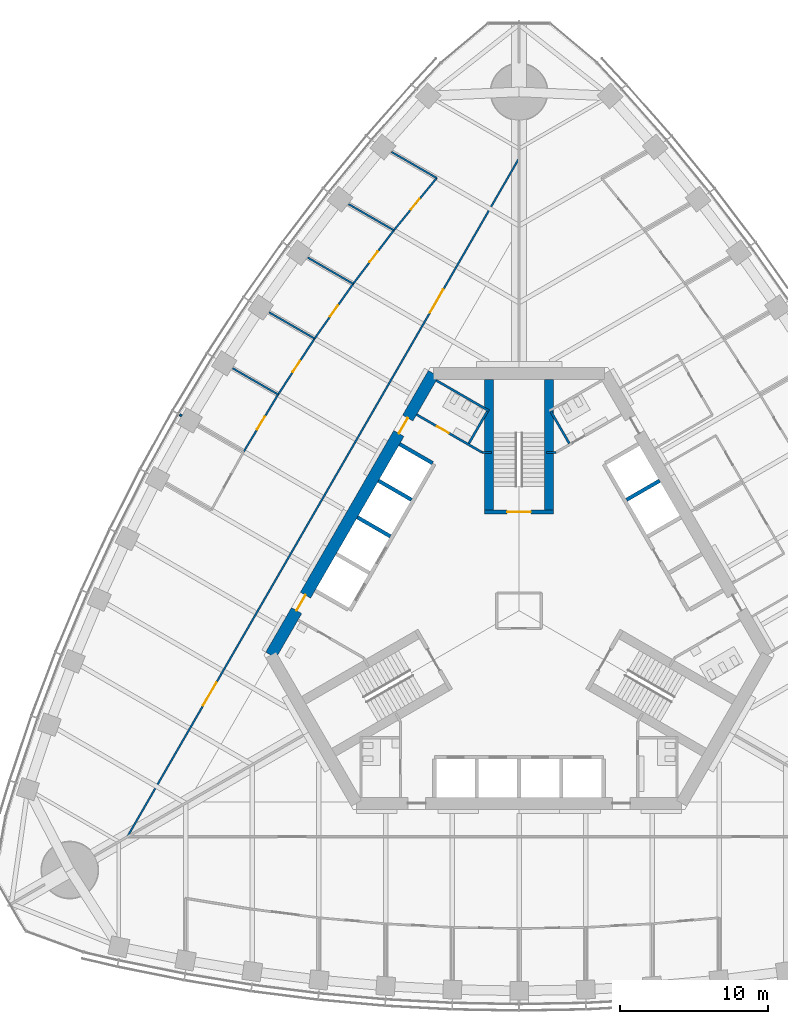
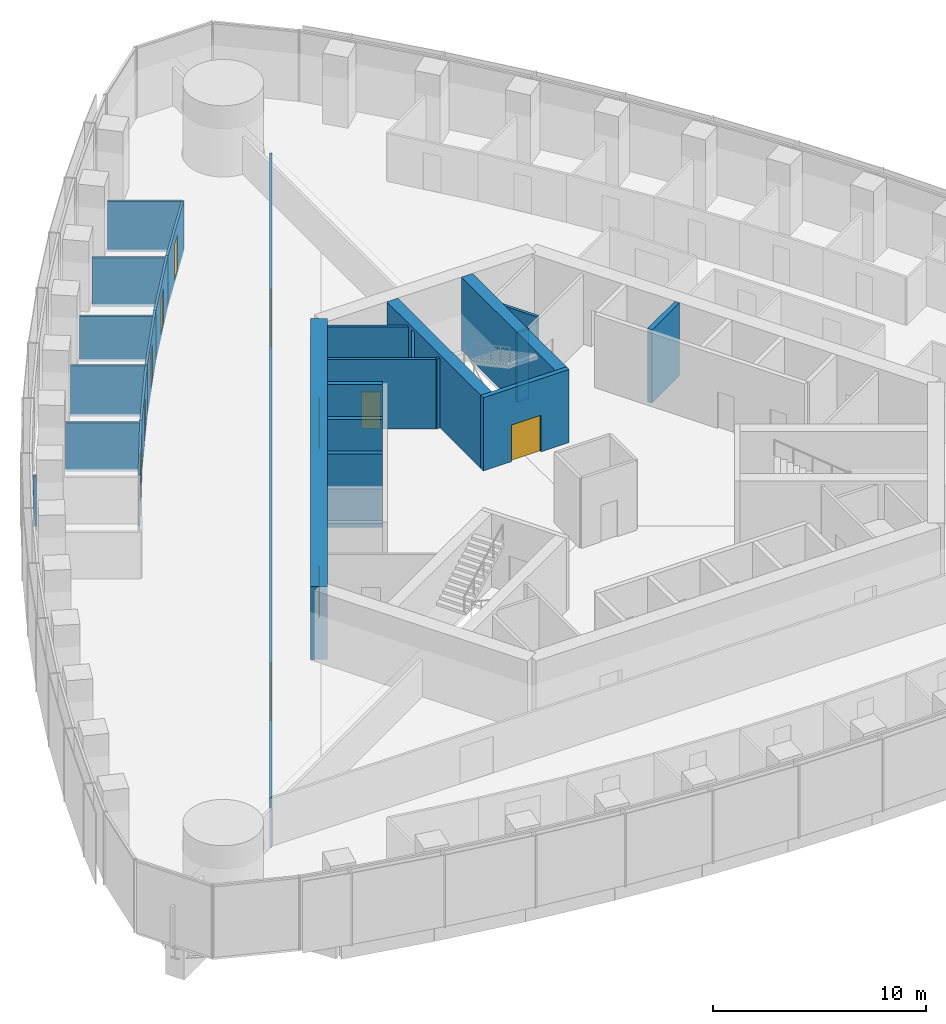
# One storey, part 14 of 21: 26 walls, 11 doors, 11 openings.
"""IFC4 building model written with IfcOpenShell, lengths in metres."""

from ifc_helpers import new_model, si_unit, direction, frame, frame_2d, origin, place, context, subcontext, project, spatial, rectangle, extrude, material, layer, layer_set, type_object, element, fill, save


model = new_model("IFC4")

# Units and contexts
model_context = context("Model", 3, precision=1e-05, world=origin(), true_north=direction((0.0, 1.0)))
body_context = subcontext(model_context, "Body", "Model", "MODEL_VIEW")
ifc_project = project(units=[si_unit("LENGTHUNIT", "METRE"), si_unit("AREAUNIT", "SQUARE_METRE"), si_unit("VOLUMEUNIT", "CUBIC_METRE"), si_unit("PLANEANGLEUNIT", "RADIAN"), si_unit("MASSUNIT", "GRAM", prefix="KILO")], contexts=[model_context])

# Site, building, storey
site_placement = place(None, origin())
site = spatial("IfcSite", under=ifc_project, at=site_placement, CompositionType="ELEMENT")
building_placement = place(site_placement, origin())
building = spatial("IfcBuilding", under=site, at=building_placement, Name="Trefoil Bronze Tower", CompositionType="ELEMENT")
storey_placement = place(building_placement, frame((0.0, 0.0, 153.5)))
storey = spatial("IfcBuildingStorey", under=building, at=storey_placement, Name="L35", CompositionType="ELEMENT", Elevation=153.5)

# Wall, openings, doors
ifc_material_1 = material(Name="Concrete B80", Category="concrete")
ifc_layer_1 = layer(ifc_material_1, 0.800048828125)
ifc_layer_set_1 = layer_set([ifc_layer_1], Name="Core wall 800")
wall_type_1 = type_object("IfcWallType", Name="Core wall 800", PredefinedType="SHEAR", material=ifc_layer_set_1)
wall_1_placement = place(storey_placement, frame((-5.7734375, 16.0, 0.0), z_axis=(0.0, 0.0, 1.0), x_axis=(-0.500002442456, -0.866023993627, 0.0)))
wall_1 = element("IfcWall", 1, at=wall_1_placement, inside=storey, type_object=wall_type_1, Name="Core long wall 3 L35", PredefinedType="SHEAR", context=body_context, shape_type="SweptSolid", body=[
    extrude(rectangle(XDim=21.939453125, YDim=0.800048828125, at=frame_2d((10.9697265625, 0.0))), origin(), (0.0, 0.0, 1.0), 4.199951171875),
])
opening_1_placement = place(wall_1_placement, frame((17.269775390625, 0.0, 0.0)))
opening_1 = element("IfcOpeningElement", 2, at=opening_1_placement, cuts=wall_1, Name="Opening D2", PredefinedType="OPENING", context=body_context, shape_type="SweptSolid", body=[
    extrude(rectangle(XDim=1.199951171875, YDim=2.10009765625, at=frame_2d((0.60009765625, 1.050048828125))), frame((0.0, 0.409912109375, 0.0), z_axis=(0.0, -1.0, 0.0), x_axis=(1.0, 0.0, 0.0)), (0.0, 0.0, 1.0), 0.820068359375),
])
opening_2_placement = place(wall_1_placement, frame((3.4697265625, 0.0, 0.0)))
opening_2 = element("IfcOpeningElement", 3, at=opening_2_placement, cuts=wall_1, Name="Opening D2", PredefinedType="OPENING", context=body_context, shape_type="SweptSolid", body=[
    extrude(rectangle(XDim=1.199951171875, YDim=2.10009765625, at=frame_2d((0.60009765625, 1.050048828125))), frame((0.0, 0.409912109375, 0.0), z_axis=(0.0, -1.0, 0.0), x_axis=(1.0, 0.0, 0.0)), (0.0, 0.0, 1.0), 0.820068359375),
])
ifc_material_2 = material(Name="Steel door", Category="steel")
door_type_1 = type_object("IfcDoorType", Name="Lobby door 1200", OperationType="SINGLE_SWING_RIGHT", PredefinedType="DOOR", material=ifc_material_2)
door_1_placement = place(opening_1_placement, origin())
door_1 = element("IfcDoor", 4, at=door_1_placement, inside=storey, type_object=door_type_1, Name="Lobby door F3+ L35", OperationType="SINGLE_SWING_RIGHT", OverallHeight=2.10009765625, OverallWidth=1.199951171875, PredefinedType="DOOR", context=body_context, shape_type="SweptSolid", body=[
    extrude(rectangle(XDim=1.199951171875, YDim=2.10009765625, at=frame_2d((0.60009765625, 1.050048828125))), frame((0.0, 0.02490234375, 0.0), z_axis=(0.0, -1.0, 0.0), x_axis=(1.0, 0.0, 0.0)), (0.0, 0.0, 1.0), 0.050048828125),
])
fill(opening_1, door_1)
door_2_placement = place(opening_2_placement, origin())
door_2 = element("IfcDoor", 5, at=door_2_placement, inside=storey, type_object=door_type_1, Name="Lobby door F3- L35", OperationType="SINGLE_SWING_LEFT", OverallHeight=2.10009765625, OverallWidth=1.199951171875, PredefinedType="DOOR", context=body_context, shape_type="SweptSolid", body=[
    extrude(rectangle(XDim=1.199951171875, YDim=2.10009765625, at=frame_2d((0.60009765625, 1.050048828125))), frame((0.0, 0.02490234375, 0.0), z_axis=(0.0, -1.0, 0.0), x_axis=(1.0, 0.0, 0.0)), (0.0, 0.0, 1.0), 0.050048828125),
])
fill(opening_2, door_2)

ifc_material_3 = material(Name="Glazed partition", Category="glass")
ifc_layer_2 = layer(ifc_material_3, 0.1201171875)
ifc_layer_set_2 = layer_set([ifc_layer_2], Name="Glazed partition 120")
wall_type_2 = type_object("IfcWallType", Name="Glazed partition 120", PredefinedType="PARTITIONING", material=ifc_layer_set_2)
wall_2_placement = place(storey_placement, frame((-0.016357421875, 30.491455078125, 0.0), z_axis=(0.0, 0.0, 1.0), x_axis=(-0.50000091641, -0.866024874695, 0.0)))
wall_2 = element("IfcWall", 6, at=wall_2_placement, inside=storey, type_object=wall_type_2, Name="Partition F3 L35", PredefinedType="PARTITIONING", context=body_context, shape_type="SweptSolid", body=[
    extrude(rectangle(XDim=52.79638671875, YDim=0.1201171875, at=frame_2d((26.398193359375, 0.0))), origin(), (0.0, 0.0, 1.0), 2.89990234375),
])
opening_3_placement = place(wall_2_placement, frame((10.199951171875, 0.0, 0.14990234375)))
opening_3 = element("IfcOpeningElement", 7, at=opening_3_placement, cuts=wall_2, Name="Opening D10", PredefinedType="OPENING", context=body_context, shape_type="SweptSolid", body=[
    extrude(rectangle(XDim=1.800048828125, YDim=2.10009765625, at=frame_2d((0.89990234375, 1.050048828125))), frame((0.0, 0.070068359375, 0.0), z_axis=(0.0, -1.0, 0.0), x_axis=(1.0, 0.0, 0.0)), (0.0, 0.0, 1.0), 0.14013671875),
])
opening_4_placement = place(wall_2_placement, frame((40.800048828125, 0.0, 0.14990234375)))
opening_4 = element("IfcOpeningElement", 8, at=opening_4_placement, cuts=wall_2, Name="Opening D10", PredefinedType="OPENING", context=body_context, shape_type="SweptSolid", body=[
    extrude(rectangle(XDim=1.800048828125, YDim=2.10009765625, at=frame_2d((0.89990234375, 1.050048828125))), frame((0.0, 0.070068359375, 0.0), z_axis=(0.0, -1.0, 0.0), x_axis=(1.0, 0.0, 0.0)), (0.0, 0.0, 1.0), 0.14013671875),
])
ifc_material_4 = material(Name="Timber door", Category="wood")
door_type_2 = type_object("IfcDoorType", Name="Double door 1800", OperationType="DOUBLE_DOOR_SINGLE_SWING", PredefinedType="DOOR", material=ifc_material_4)
door_3_placement = place(opening_3_placement, origin())
door_3 = element("IfcDoor", 9, at=door_3_placement, inside=storey, type_object=door_type_2, Name="Corridor door F3 L35", OperationType="DOUBLE_DOOR_SINGLE_SWING", OverallHeight=2.10009765625, OverallWidth=1.800048828125, PredefinedType="DOOR", context=body_context, shape_type="SweptSolid", body=[
    extrude(rectangle(XDim=1.800048828125, YDim=2.10009765625, at=frame_2d((0.89990234375, 1.050048828125))), frame((0.0, 0.02490234375, 0.0), z_axis=(0.0, -1.0, 0.0), x_axis=(1.0, 0.0, 0.0)), (0.0, 0.0, 1.0), 0.050048828125),
])
fill(opening_3, door_3)
door_4_placement = place(opening_4_placement, origin())
door_4 = element("IfcDoor", 10, at=door_4_placement, inside=storey, type_object=door_type_2, Name="Corridor door F3 L35", OperationType="DOUBLE_DOOR_SINGLE_SWING", OverallHeight=2.10009765625, OverallWidth=1.800048828125, PredefinedType="DOOR", context=body_context, shape_type="SweptSolid", body=[
    extrude(rectangle(XDim=1.800048828125, YDim=2.10009765625, at=frame_2d((0.89990234375, 1.050048828125))), frame((0.0, 0.02490234375, 0.0), z_axis=(0.0, -1.0, 0.0), x_axis=(1.0, 0.0, 0.0)), (0.0, 0.0, 1.0), 0.050048828125),
])
fill(opening_4, door_4)

# Wall, opening, door
wall_3_placement = place(storey_placement, frame((-11.192138671875, 22.05029296875, 0.0), z_axis=(0.0, 0.0, 1.0), x_axis=(-0.575987178736, -0.817458726745, 0.0)))
wall_3 = element("IfcWall", 11, at=wall_3_placement, inside=storey, type_object=wall_type_2, Name="Partition F3 L35", PredefinedType="PARTITIONING", context=body_context, shape_type="SweptSolid", body=[
    extrude(rectangle(XDim=4.518310546875, YDim=0.1201171875, at=frame_2d((2.25927734375, 0.0))), origin(), (0.0, 0.0, 1.0), 2.89990234375),
])
opening_5_placement = place(wall_3_placement, frame((1.800048828125, 0.0, 0.14990234375)))
opening_5 = element("IfcOpeningElement", 12, at=opening_5_placement, cuts=wall_3, Name="Opening D8", PredefinedType="OPENING", context=body_context, shape_type="SweptSolid", body=[
    extrude(rectangle(XDim=0.89990234375, YDim=2.10009765625, at=frame_2d((0.449951171875, 1.050048828125))), frame((0.0, 0.070068359375, 0.0), z_axis=(0.0, -1.0, 0.0), x_axis=(1.0, 0.0, 0.0)), (0.0, 0.0, 1.0), 0.14013671875),
])
ifc_material_5 = material(Name="Timber door", Category="wood")
door_type_3 = type_object("IfcDoorType", Name="Office door 900", OperationType="SINGLE_SWING_LEFT", PredefinedType="DOOR", material=ifc_material_5)
door_5_placement = place(opening_5_placement, frame((0.89990234375, 0.0, 0.0), z_axis=(0.0, 0.0, 1.0), x_axis=(-1.0, 0.0, 0.0)))
door_5 = element("IfcDoor", 13, at=door_5_placement, inside=storey, type_object=door_type_3, Name="Office door F3 L35", OperationType="SINGLE_SWING_RIGHT", OverallHeight=2.10009765625, OverallWidth=0.89990234375, PredefinedType="DOOR", context=body_context, shape_type="SweptSolid", body=[
    extrude(rectangle(XDim=0.89990234375, YDim=2.10009765625, at=frame_2d((0.449951171875, 1.050048828125))), frame((0.0, 0.02490234375, 0.0), z_axis=(0.0, -1.0, 0.0), x_axis=(1.0, 0.0, 0.0)), (0.0, 0.0, 1.0), 0.050048828125),
])
fill(opening_5, door_5)

wall_4_placement = place(storey_placement, frame((-8.446533203125, 25.6611328125, 0.0), z_axis=(0.0, 0.0, 1.0), x_axis=(-0.605274299339, -0.796016973789, 0.0)))
wall_4 = element("IfcWall", 14, at=wall_4_placement, inside=storey, type_object=wall_type_2, Name="Partition F3 L35", PredefinedType="PARTITIONING", context=body_context, shape_type="SweptSolid", body=[
    extrude(rectangle(XDim=4.5361328125, YDim=0.1201171875, at=frame_2d((2.26806640625, 0.0))), origin(), (0.0, 0.0, 1.0), 2.89990234375),
])
opening_6_placement = place(wall_4_placement, frame((1.800048828125, 0.0, 0.14990234375)))
opening_6 = element("IfcOpeningElement", 15, at=opening_6_placement, cuts=wall_4, Name="Opening D8", PredefinedType="OPENING", context=body_context, shape_type="SweptSolid", body=[
    extrude(rectangle(XDim=0.89990234375, YDim=2.10009765625, at=frame_2d((0.449951171875, 1.050048828125))), frame((0.0, 0.070068359375, 0.0), z_axis=(0.0, -1.0, 0.0), x_axis=(1.0, 0.0, 0.0)), (0.0, 0.0, 1.0), 0.14013671875),
])
door_6_placement = place(opening_6_placement, frame((0.89990234375, 0.0, 0.0), z_axis=(0.0, 0.0, 1.0), x_axis=(-1.0, 0.0, 0.0)))
door_6 = element("IfcDoor", 16, at=door_6_placement, inside=storey, type_object=door_type_3, Name="Office door F3 L35", OperationType="SINGLE_SWING_RIGHT", OverallHeight=2.10009765625, OverallWidth=0.89990234375, PredefinedType="DOOR", context=body_context, shape_type="SweptSolid", body=[
    extrude(rectangle(XDim=0.89990234375, YDim=2.10009765625, at=frame_2d((0.449951171875, 1.050048828125))), frame((0.0, 0.02490234375, 0.0), z_axis=(0.0, -1.0, 0.0), x_axis=(1.0, 0.0, 0.0)), (0.0, 0.0, 1.0), 0.050048828125),
])
fill(opening_6, door_6)

wall_5_placement = place(storey_placement, frame((-5.555908203125, 29.1884765625, 0.0), z_axis=(0.0, 0.0, 1.0), x_axis=(-0.633843962561, -0.773460943503, 0.0)))
wall_5 = element("IfcWall", 17, at=wall_5_placement, inside=storey, type_object=wall_type_2, Name="Partition F3 L35", PredefinedType="PARTITIONING", context=body_context, shape_type="SweptSolid", body=[
    extrude(rectangle(XDim=4.560546875, YDim=0.1201171875, at=frame_2d((2.2802734375, 0.0))), origin(), (0.0, 0.0, 1.0), 2.89990234375),
])
opening_7_placement = place(wall_5_placement, frame((1.85009765625, 0.0, 0.14990234375)))
opening_7 = element("IfcOpeningElement", 18, at=opening_7_placement, cuts=wall_5, Name="Opening D8", PredefinedType="OPENING", context=body_context, shape_type="SweptSolid", body=[
    extrude(rectangle(XDim=0.89990234375, YDim=2.10009765625, at=frame_2d((0.449951171875, 1.050048828125))), frame((0.0, 0.070068359375, 0.0), z_axis=(0.0, -1.0, 0.0), x_axis=(1.0, 0.0, 0.0)), (0.0, 0.0, 1.0), 0.14013671875),
])
door_7_placement = place(opening_7_placement, frame((0.89990234375, 0.0, 0.0), z_axis=(0.0, 0.0, 1.0), x_axis=(-1.0, 0.0, 0.0)))
door_7 = element("IfcDoor", 19, at=door_7_placement, inside=storey, type_object=door_type_3, Name="Office door F3 L35", OperationType="SINGLE_SWING_LEFT", OverallHeight=2.10009765625, OverallWidth=0.89990234375, PredefinedType="DOOR", context=body_context, shape_type="SweptSolid", body=[
    extrude(rectangle(XDim=0.89990234375, YDim=2.10009765625, at=frame_2d((0.449951171875, 1.050048828125))), frame((0.0, 0.02490234375, 0.0), z_axis=(0.0, -1.0, 0.0), x_axis=(1.0, 0.0, 0.0)), (0.0, 0.0, 1.0), 0.050048828125),
])
fill(opening_7, door_7)

wall_6_placement = place(storey_placement, frame((-16.255615234375, 14.581298828125, 0.0), z_axis=(0.0, 0.0, 1.0), x_axis=(-0.515548366618, -0.856860479703, 0.0)))
wall_6 = element("IfcWall", 20, at=wall_6_placement, inside=storey, type_object=wall_type_2, Name="Partition F3 L35", PredefinedType="PARTITIONING", context=body_context, shape_type="SweptSolid", body=[
    extrude(rectangle(XDim=4.500732421875, YDim=0.1201171875, at=frame_2d((2.25048828125, 0.0))), origin(), (0.0, 0.0, 1.0), 2.89990234375),
])
opening_8_placement = place(wall_6_placement, frame((1.75, 0.0, 0.14990234375)))
opening_8 = element("IfcOpeningElement", 21, at=opening_8_placement, cuts=wall_6, Name="Opening D9", PredefinedType="OPENING", context=body_context, shape_type="SweptSolid", body=[
    extrude(rectangle(XDim=1.0, YDim=2.10009765625, at=frame_2d((0.5, 1.050048828125))), frame((0.0, 0.070068359375, 0.0), z_axis=(0.0, -1.0, 0.0), x_axis=(1.0, 0.0, 0.0)), (0.0, 0.0, 1.0), 0.14013671875),
])
ifc_material_6 = material(Name="Glazed timber door", Category="wood")
door_type_4 = type_object("IfcDoorType", Name="Meeting room door 1000", OperationType="SINGLE_SWING_LEFT", PredefinedType="DOOR", material=ifc_material_6)
door_8_placement = place(opening_8_placement, frame((1.0, 0.0, 0.0), z_axis=(0.0, 0.0, 1.0), x_axis=(-1.0, 0.0, 0.0)))
door_8 = element("IfcDoor", 22, at=door_8_placement, inside=storey, type_object=door_type_4, Name="Meeting room door F3 L35", OperationType="SINGLE_SWING_RIGHT", OverallHeight=2.10009765625, OverallWidth=1.0, PredefinedType="DOOR", context=body_context, shape_type="SweptSolid", body=[
    extrude(rectangle(XDim=1.0, YDim=2.10009765625, at=frame_2d((0.5, 1.050048828125))), frame((0.0, 0.02490234375, 0.0), z_axis=(0.0, -1.0, 0.0), x_axis=(1.0, 0.0, 0.0)), (0.0, 0.0, 1.0), 0.050048828125),
])
fill(opening_8, door_8)

wall_7_placement = place(storey_placement, frame((-13.794677734375, 18.356689453125, 0.0), z_axis=(0.0, 0.0, 1.0), x_axis=(-0.546069464151, -0.837739900161, 0.0)))
wall_7 = element("IfcWall", 23, at=wall_7_placement, inside=storey, type_object=wall_type_2, Name="Partition F3 L35", PredefinedType="PARTITIONING", context=body_context, shape_type="SweptSolid", body=[
    extrude(rectangle(XDim=4.506591796875, YDim=0.1201171875, at=frame_2d((2.25341796875, 0.0))), origin(), (0.0, 0.0, 1.0), 2.89990234375),
])
opening_9_placement = place(wall_7_placement, frame((1.800048828125, 0.0, 0.14990234375)))
opening_9 = element("IfcOpeningElement", 24, at=opening_9_placement, cuts=wall_7, Name="Opening D8", PredefinedType="OPENING", context=body_context, shape_type="SweptSolid", body=[
    extrude(rectangle(XDim=0.89990234375, YDim=2.10009765625, at=frame_2d((0.449951171875, 1.050048828125))), frame((0.0, 0.070068359375, 0.0), z_axis=(0.0, -1.0, 0.0), x_axis=(1.0, 0.0, 0.0)), (0.0, 0.0, 1.0), 0.14013671875),
])
door_9_placement = place(opening_9_placement, frame((0.89990234375, 0.0, 0.0), z_axis=(0.0, 0.0, 1.0), x_axis=(-1.0, 0.0, 0.0)))
door_9 = element("IfcDoor", 25, at=door_9_placement, inside=storey, type_object=door_type_3, Name="Office door F3 L35", OperationType="SINGLE_SWING_RIGHT", OverallHeight=2.10009765625, OverallWidth=0.89990234375, PredefinedType="DOOR", context=body_context, shape_type="SweptSolid", body=[
    extrude(rectangle(XDim=0.89990234375, YDim=2.10009765625, at=frame_2d((0.449951171875, 1.050048828125))), frame((0.0, 0.02490234375, 0.0), z_axis=(0.0, -1.0, 0.0), x_axis=(1.0, 0.0, 0.0)), (0.0, 0.0, 1.0), 0.050048828125),
])
fill(opening_9, door_9)

# Walls
wall_8_placement = place(storey_placement, frame((-11.192138671875, 22.05029296875, 0.0), z_axis=(0.0, 0.0, 1.0), x_axis=(-0.86605108476, 0.499955516607, 0.0)))
element("IfcWall", 26, at=wall_8_placement, inside=storey, type_object=wall_type_2, Name="Partition F3 L35", PredefinedType="PARTITIONING", context=body_context, shape_type="SweptSolid", body=[
    extrude(rectangle(XDim=3.536376953125, YDim=0.1201171875, at=frame_2d((1.76806640625, 0.0))), origin(), (0.0, 0.0, 1.0), 2.60009765625),
])
wall_9_placement = place(storey_placement, frame((-8.446533203125, 25.6611328125, 0.0), z_axis=(0.0, 0.0, 1.0), x_axis=(-0.866025485263, 0.499999858875, 0.0)))
element("IfcWall", 27, at=wall_9_placement, inside=storey, type_object=wall_type_2, Name="Partition F3 L35", PredefinedType="PARTITIONING", context=body_context, shape_type="SweptSolid", body=[
    extrude(rectangle(XDim=3.52978515625, YDim=0.1201171875, at=frame_2d((1.764892578125, 0.0))), origin(), (0.0, 0.0, 1.0), 2.800048828125),
])
wall_10_placement = place(storey_placement, frame((-5.555908203125, 29.1884765625, 0.0), z_axis=(0.0, 0.0, 1.0), x_axis=(-0.866028552163, 0.499994546809, 0.0)))
element("IfcWall", 28, at=wall_10_placement, inside=storey, type_object=wall_type_2, Name="Partition F3 L35", PredefinedType="PARTITIONING", context=body_context, shape_type="SweptSolid", body=[
    extrude(rectangle(XDim=3.52099609375, YDim=0.1201171875, at=frame_2d((1.760498046875, 0.0))), origin(), (0.0, 0.0, 1.0), 2.89990234375),
])
wall_11_placement = place(storey_placement, frame((-16.255615234375, 14.581298828125, 0.0), z_axis=(0.0, 0.0, 1.0), x_axis=(-0.866008926066, 0.500028539159, 0.0)))
element("IfcWall", 29, at=wall_11_placement, inside=storey, type_object=wall_type_2, Name="Partition F3 L35", PredefinedType="PARTITIONING", context=body_context, shape_type="SweptSolid", body=[
    extrude(rectangle(XDim=3.544189453125, YDim=0.1201171875, at=frame_2d((1.77197265625, 0.0))), origin(), (0.0, 0.0, 1.0), 2.800048828125),
])
wall_12_placement = place(storey_placement, frame((-13.794677734375, 18.356689453125, 0.0), z_axis=(0.0, 0.0, 1.0), x_axis=(-0.866045526189, 0.499965145353, 0.0)))
element("IfcWall", 30, at=wall_12_placement, inside=storey, type_object=wall_type_2, Name="Partition F3 L35", PredefinedType="PARTITIONING", context=body_context, shape_type="SweptSolid", body=[
    extrude(rectangle(XDim=3.541259765625, YDim=0.1201171875, at=frame_2d((1.7705078125, 0.0))), origin(), (0.0, 0.0, 1.0), 2.89990234375),
])

# Wall, opening, door
ifc_material_7 = material(Name="Gypsum board on steel studs", Category="steel")
ifc_layer_3 = layer(ifc_material_7, 0.14990234375)
ifc_layer_set_3 = layer_set([ifc_layer_3], Name="Partition 150")
wall_type_3 = type_object("IfcWallType", Name="Partition 150", PredefinedType="PARTITIONING", material=ifc_layer_set_3)
wall_13_placement = place(storey_placement, frame((-2.4951171875, 10.67822265625, 0.0), z_axis=(0.0, 0.0, 1.0), x_axis=(-0.86602216432, 0.500005610874, 0.0)))
wall_13 = element("IfcWall", 31, at=wall_13_placement, inside=storey, type_object=wall_type_3, Name="Passage wall F3- L35", PredefinedType="PARTITIONING", context=body_context, shape_type="SweptSolid", body=[
    extrude(rectangle(XDim=5.10009765625, YDim=0.14990234375, at=frame_2d((2.550048828125, 0.0))), origin(), (0.0, 0.0, 1.0), 4.0),
])
opening_10_placement = place(wall_13_placement, frame((2.60009765625, 0.0, 0.0)))
opening_10 = element("IfcOpeningElement", 32, at=opening_10_placement, cuts=wall_13, Name="Opening D3", PredefinedType="OPENING", context=body_context, shape_type="SweptSolid", body=[
    extrude(rectangle(XDim=0.89990234375, YDim=2.10009765625, at=frame_2d((0.449951171875, 1.050048828125))), frame((0.0, 0.0849609375, 0.0), z_axis=(0.0, -1.0, 0.0), x_axis=(1.0, 0.0, 0.0)), (0.0, 0.0, 1.0), 0.169921875),
])
ifc_material_8 = material(Name="Timber door", Category="wood")
door_type_5 = type_object("IfcDoorType", Name="WC door 900", OperationType="SINGLE_SWING_LEFT", PredefinedType="DOOR", material=ifc_material_8)
door_10_placement = place(opening_10_placement, frame((0.89990234375, 0.0, 0.0), z_axis=(0.0, 0.0, 1.0), x_axis=(-1.0, 0.0, 0.0)))
door_10 = element("IfcDoor", 33, at=door_10_placement, inside=storey, type_object=door_type_5, Name="WC (women) door L35", OperationType="SINGLE_SWING_RIGHT", OverallHeight=2.10009765625, OverallWidth=0.89990234375, PredefinedType="DOOR", context=body_context, shape_type="SweptSolid", body=[
    extrude(rectangle(XDim=0.89990234375, YDim=2.10009765625, at=frame_2d((0.449951171875, 1.050048828125))), frame((0.0, 0.02490234375, 0.0), z_axis=(0.0, -1.0, 0.0), x_axis=(1.0, 0.0, 0.0)), (0.0, 0.0, 1.0), 0.050048828125),
])
fill(opening_10, door_10)

# Walls
for number, where, z_axis, x_axis, name in (
    (34, (2.4951171875, 10.67822265625, 0.0), (0.0, 0.0, 1.0), (-1.0, 0.0, 0.0), "WC wall ST2-1 L35"),
    (35, (-2.4951171875, 10.67822265625, 0.0), (0.0, 0.0, 1.0), (1.0, 0.0, 0.0), "WC wall ST2+1 L35"),
):
    element("IfcWall", number, at=place(storey_placement, frame(where, z_axis=z_axis, x_axis=x_axis)), inside=storey, type_object=wall_type_3, Name=name, PredefinedType="PARTITIONING", context=body_context, shape_type="SweptSolid", body=[
        extrude(rectangle(XDim=0.64501953125, YDim=0.14990234375, at=frame_2d((0.322509765625, 0.0))), origin(), (0.0, 0.0, 1.0), 4.0),
    ])
wall_14_placement = place(storey_placement, frame((3.388671875, 11.28076171875, 0.0), z_axis=(0.0, 0.0, 1.0), x_axis=(-0.499989096993, 0.866031698547, 0.0)))
element("IfcWall", 36, at=wall_14_placement, inside=storey, type_object=wall_type_3, Name="WC partition WC (men) L35", PredefinedType="PARTITIONING", context=body_context, shape_type="SweptSolid", body=[
    extrude(rectangle(XDim=2.509765625, YDim=0.14990234375, at=frame_2d((1.2548828125, 0.0))), origin(), (0.0, 0.0, 1.0), 4.0),
])
wall_15_placement = place(storey_placement, frame((-2.03125, 13.48193359375, 0.0), z_axis=(0.0, 0.0, 1.0), x_axis=(-0.866050731258, 0.499956128963, 0.0)))
element("IfcWall", 37, at=wall_15_placement, inside=storey, type_object=wall_type_3, Name="WC partition WC (women) L35", PredefinedType="PARTITIONING", context=body_context, shape_type="SweptSolid", body=[
    extrude(rectangle(XDim=4.099853515625, YDim=0.14990234375, at=frame_2d((2.0498046875, 0.0))), origin(), (0.0, 0.0, 1.0), 4.0),
])
wall_16_placement = place(storey_placement, frame((-3.388671875, 11.28076171875, 0.0), z_axis=(0.0, 0.0, 1.0), x_axis=(0.499989096993, 0.866031698547, 0.0)))
element("IfcWall", 38, at=wall_16_placement, inside=storey, type_object=wall_type_3, Name="WC partition WC (women) L35", PredefinedType="PARTITIONING", context=body_context, shape_type="SweptSolid", body=[
    extrude(rectangle(XDim=2.509765625, YDim=0.14990234375, at=frame_2d((1.2548828125, 0.0))), origin(), (0.0, 0.0, 1.0), 4.0),
])
wall_17_placement = place(storey_placement, frame((-22.758056640625, 13.139404296875, 0.0), z_axis=(0.0, 0.0, 1.0), x_axis=(-0.866063163075, 0.499934593286, 0.0)))
element("IfcWall", 39, at=wall_17_placement, inside=storey, type_object=wall_type_3, Name="Partition F3 L35", PredefinedType="PARTITIONING", context=body_context, shape_type="SweptSolid", body=[
    extrude(rectangle(XDim=0.166015625, YDim=0.14990234375, at=frame_2d((0.0830078125, 0.0))), origin(), (0.0, 0.0, 1.0), 2.89990234375),
])
ifc_material_9 = material(Name="Concrete B80", Category="concrete")
ifc_layer_4 = layer(ifc_material_9, 0.25)
ifc_layer_set_4 = layer_set([ifc_layer_4], Name="Shaft wall 250")
wall_type_4 = type_object("IfcWallType", Name="Shaft wall 250", PredefinedType="SHEAR", material=ifc_layer_set_4)
wall_18_placement = place(storey_placement, frame((7.2568359375, 7.480712890625, 0.0), z_axis=(0.0, 0.0, 1.0), x_axis=(0.866046643894, 0.499963209246, 0.0)))
element("IfcWall", 40, at=wall_18_placement, inside=storey, type_object=wall_type_4, Name="Lift shaft side wall B3 L35", PredefinedType="SHEAR", context=body_context, shape_type="SweptSolid", body=[
    extrude(rectangle(XDim=2.574951171875, YDim=0.25, at=frame_2d((1.28759765625, 0.0))), origin(), (0.0, 0.0, 1.0), 4.199951171875),
])
wall_19_placement = place(storey_placement, frame((-5.831787109375, 9.94873046875, 0.0), z_axis=(0.0, 0.0, 1.0), x_axis=(-0.866029291668, 0.499993265928, 0.0)))
element("IfcWall", 41, at=wall_19_placement, inside=storey, type_object=wall_type_4, Name="Lift shaft side wall C0 L35", PredefinedType="SHEAR", context=body_context, shape_type="SweptSolid", body=[
    extrude(rectangle(XDim=2.5751953125, YDim=0.25, at=frame_2d((1.28759765625, 0.0))), origin(), (0.0, 0.0, 1.0), 4.199951171875),
])
for number, where, z_axis, x_axis, name in (
    (42, (-7.2568359375, 7.480712890625, 0.0), (0.0, 0.0, 1.0), (-0.866046643894, 0.499963209246, 0.0), "Lift shaft side wall C1 L35"),
    (43, (-8.681884765625, 5.012451171875, 0.0), (0.0, 0.0, 1.0), (-0.866005588531, 0.500034319456, 0.0), "Lift shaft side wall C2 L35"),
):
    element("IfcWall", number, at=place(storey_placement, frame(where, z_axis=z_axis, x_axis=x_axis)), inside=storey, type_object=wall_type_4, Name=name, PredefinedType="SHEAR", context=body_context, shape_type="SweptSolid", body=[
        extrude(rectangle(XDim=2.574951171875, YDim=0.25, at=frame_2d((1.28759765625, 0.0))), origin(), (0.0, 0.0, 1.0), 4.199951171875),
    ])

# Wall, opening, door
wall_20_placement = place(storey_placement, frame((2.324951171875, 6.64990234375, 0.0), z_axis=(0.0, 0.0, 1.0), x_axis=(-1.0, 0.0, 0.0)))
wall_20 = element("IfcWall", 44, at=wall_20_placement, inside=storey, type_object=wall_type_4, Name="Stair end wall ST2 L35", PredefinedType="SHEAR", context=body_context, shape_type="SweptSolid", body=[
    extrude(rectangle(XDim=4.64990234375, YDim=0.25, at=frame_2d((2.324951171875, 0.0))), origin(), (0.0, 0.0, 1.0), 4.199951171875),
])
opening_11_placement = place(wall_20_placement, frame((1.52490234375, 0.0, 0.0)))
opening_11 = element("IfcOpeningElement", 45, at=opening_11_placement, cuts=wall_20, Name="Opening D1", PredefinedType="OPENING", context=body_context, shape_type="SweptSolid", body=[
    extrude(rectangle(XDim=1.60009765625, YDim=2.10009765625, at=frame_2d((0.800048828125, 1.050048828125))), frame((0.0, 0.135009765625, 0.0), z_axis=(0.0, -1.0, 0.0), x_axis=(1.0, 0.0, 0.0)), (0.0, 0.0, 1.0), 0.27001953125),
])
ifc_material_10 = material(Name="Steel door", Category="steel")
door_type_6 = type_object("IfcDoorType", Name="Stair door 1600", OperationType="DOUBLE_DOOR_SINGLE_SWING", PredefinedType="DOOR", material=ifc_material_10)
door_11_placement = place(opening_11_placement, frame((1.60009765625, 0.0, 0.0), z_axis=(0.0, 0.0, 1.0), x_axis=(-1.0, 0.0, 0.0)))
door_11 = element("IfcDoor", 46, at=door_11_placement, inside=storey, type_object=door_type_6, Name="Stair door ST2 L35", OperationType="DOUBLE_DOOR_SINGLE_SWING", OverallHeight=2.10009765625, OverallWidth=1.60009765625, PredefinedType="DOOR", context=body_context, shape_type="SweptSolid", body=[
    extrude(rectangle(XDim=1.60009765625, YDim=2.10009765625, at=frame_2d((0.800048828125, 1.050048828125))), frame((0.0, 0.02490234375, 0.0), z_axis=(0.0, -1.0, 0.0), x_axis=(1.0, 0.0, 0.0)), (0.0, 0.0, 1.0), 0.050048828125),
])
fill(opening_11, door_11)

# Walls
ifc_material_11 = material(Name="Concrete B80", Category="concrete")
ifc_layer_5 = layer(ifc_material_11, 0.60009765625)
ifc_layer_set_5 = layer_set([ifc_layer_5], Name="Stair wall 600")
wall_type_5 = type_object("IfcWallType", Name="Stair wall 600", PredefinedType="SHEAR", material=ifc_layer_set_5)
for number, where, z_axis, x_axis, name in (
    (47, (2.02490234375, 6.52490234375, 0.0), (0.0, 0.0, 1.0), (0.0, 1.0, 0.0), "Stair wall ST2 L35"),
    (48, (-2.02490234375, 6.52490234375, 0.0), (0.0, 0.0, 1.0), (0.0, 1.0, 0.0), "Stair wall ST2 L35"),
):
    element("IfcWall", number, at=place(storey_placement, frame(where, z_axis=z_axis, x_axis=x_axis)), inside=storey, type_object=wall_type_5, Name=name, PredefinedType="SHEAR", context=body_context, shape_type="SweptSolid", body=[
        extrude(rectangle(XDim=9.0751953125, YDim=0.60009765625, at=frame_2d((4.53759765625, 0.0))), origin(), (0.0, 0.0, 1.0), 4.199951171875),
    ])

save(model, "model.ifc")
